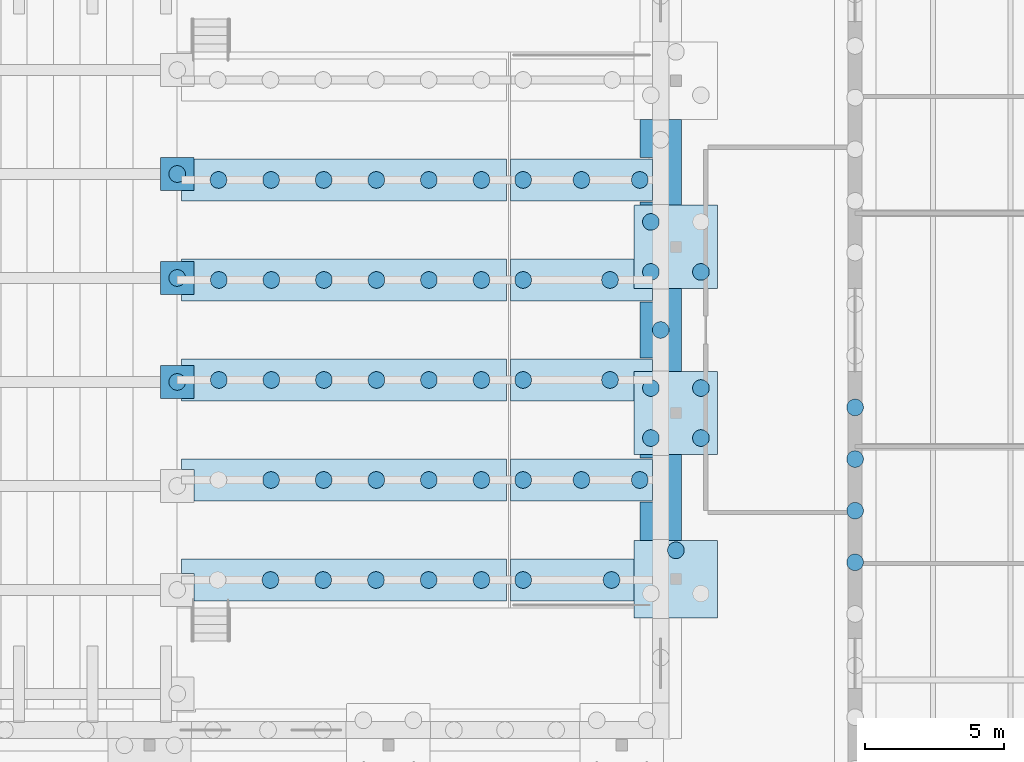
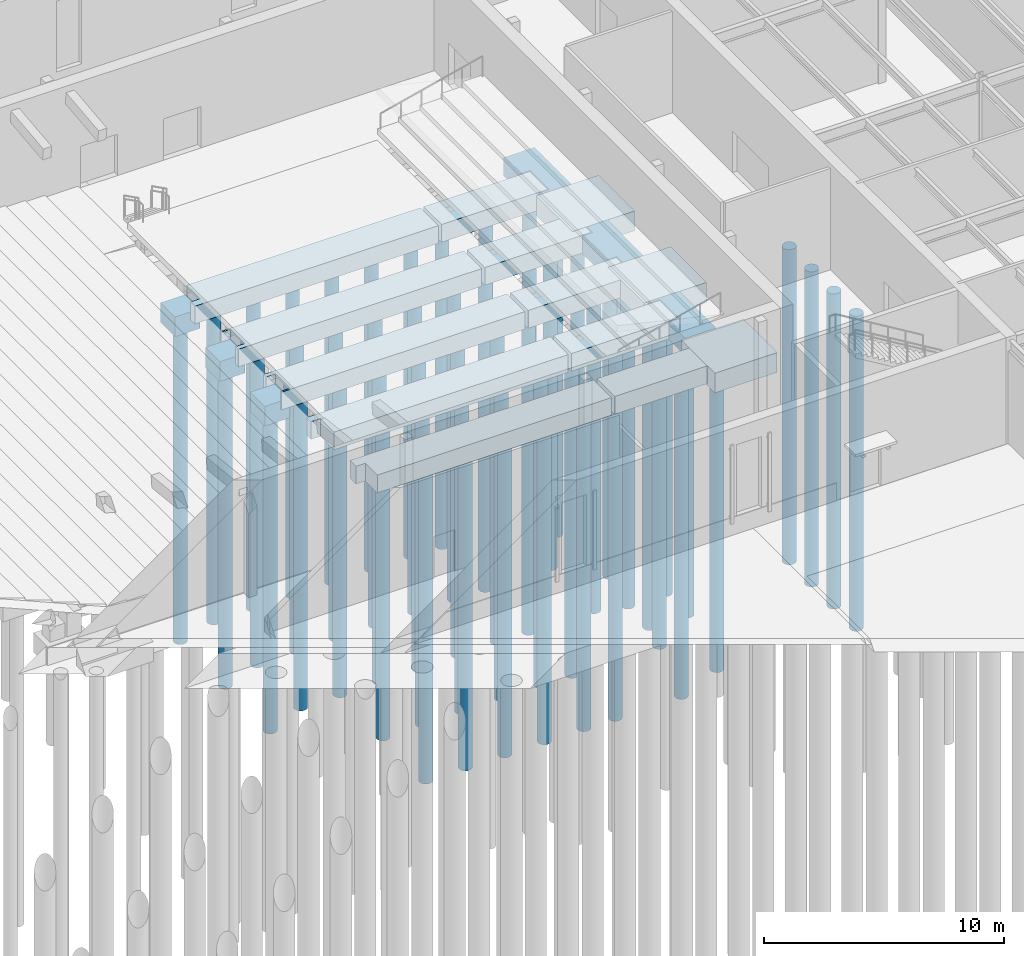
# One storey, part 13 of 127: 56 piles, 19 footings.
"""IFC4 building model written with IfcOpenShell, lengths in metres."""

from ifc_helpers import new_model, si_unit, direction, frame, origin, origin_2d, place, context, subcontext, project, spatial, polyline, circle, outline, extrude, material, layer, layer_set, material_profile, profile_set, type_object, element, save


model = new_model("IFC4")

# Units and contexts
model_context = context("Model", 3, precision=1e-05, world=origin(), true_north=direction((0.0, 1.0)))
body_context = subcontext(model_context, "Body", "Model", "MODEL_VIEW")
ifc_project = project(units=[si_unit("LENGTHUNIT", "METRE"), si_unit("AREAUNIT", "SQUARE_METRE"), si_unit("VOLUMEUNIT", "CUBIC_METRE"), si_unit("PLANEANGLEUNIT", "RADIAN"), si_unit("MASSUNIT", "GRAM", prefix="KILO")], contexts=[model_context])

# Site, building, storey
site_placement = place(None, origin())
site = spatial("IfcSite", under=ifc_project, at=site_placement, CompositionType="ELEMENT")
building_placement = place(site_placement, origin())
building = spatial("IfcBuilding", under=site, at=building_placement, Name="Ljudholm Concert House", CompositionType="ELEMENT")
storey_placement = place(building_placement, origin())
storey = spatial("IfcBuildingStorey", under=building, at=storey_placement, Name="L00", CompositionType="ELEMENT", Elevation=0.0)

# Piles
ifc_material_1 = material(Name="Concrete 5,000 psi", Category="concrete")
ifc_material_profile = material_profile(ifc_material_1, circle(Radius=0.300048828125, at=origin_2d()), Name="AUGER-CAST PILE D600")
ifc_profile_set = profile_set([ifc_material_profile], Name="Concrete 5,000 psi")
pile_type = type_object("IfcPileType", Name="AUGER-CAST PILE D600", PredefinedType="BORED", material=ifc_profile_set)
for number, where, z_axis, x_axis, name in (
    (1, (72.0, 73.528564453125, -1.804931640625), (0.0, 0.0, -1.0), (1.0, 0.0, 0.0), "Pile D600"),
    (2, (72.0, 77.271484375, -1.804931640625), (0.0, 0.0, -1.0), (1.0, 0.0, 0.0), "Pile D600"),
    (3, (72.0, 81.014404296875, -1.804931640625), (0.0, 0.0, -1.0), (1.0, 0.0, 0.0), "Pile D600"),
    (4, (89.949951171875, 67.46923828125, -1.300048828125), (0.0, 0.0, -1.0), (1.0, 0.0, 0.0), "Pile D600"),
    (5, (89.050048828125, 71.510009765625, -1.300048828125), (0.0, 0.0, -1.0), (1.0, 0.0, 0.0), "Pile D600"),
    (6, (90.85009765625, 71.510009765625, -1.300048828125), (0.0, 0.0, -1.0), (1.0, 0.0, 0.0), "Pile D600"),
    (7, (89.050048828125, 73.31005859375, -1.300048828125), (0.0, 0.0, -1.0), (1.0, 0.0, 0.0), "Pile D600"),
    (8, (90.85009765625, 73.31005859375, -1.300048828125), (0.0, 0.0, -1.0), (1.0, 0.0, 0.0), "Pile D600"),
    (9, (89.050048828125, 77.489990234375, -1.300048828125), (0.0, 0.0, -1.0), (1.0, 0.0, 0.0), "Pile D600"),
    (10, (90.85009765625, 77.489990234375, -1.300048828125), (0.0, 0.0, -1.0), (1.0, 0.0, 0.0), "Pile D600"),
    (11, (89.050048828125, 79.2900390625, -1.300048828125), (0.0, 0.0, -1.0), (1.0, 0.0, 0.0), "Pile D600"),
    (12, (84.449951171875, 66.39990234375, -1.199951171875), (0.0, 0.0, -1.0), (1.0, 0.0, 0.0), "Pile D600"),
    (13, (87.632568359375, 66.39990234375, -1.199951171875), (0.0, 0.0, -1.0), (1.0, 0.0, 0.0), "Pile D600"),
    (14, (84.449951171875, 70.0, -1.199951171875), (0.0, 0.0, -1.0), (1.0, 0.0, 0.0), "Pile D600"),
    (15, (86.550048828125, 70.0, -1.199951171875), (0.0, 0.0, -1.0), (1.0, 0.0, 0.0), "Pile D600"),
    (16, (88.64990234375, 70.0, -1.199951171875), (0.0, 0.0, -1.0), (1.0, 0.0, 0.0), "Pile D600"),
    (17, (84.449951171875, 73.60009765625, -1.199951171875), (0.0, 0.0, -1.0), (1.0, 0.0, 0.0), "Pile D600"),
    (18, (87.578369140625, 73.60009765625, -1.199951171875), (0.0, 0.0, -1.0), (1.0, 0.0, 0.0), "Pile D600"),
    (19, (84.449951171875, 77.199951171875, -1.199951171875), (0.0, 0.0, -1.0), (1.0, 0.0, 0.0), "Pile D600"),
    (20, (87.578369140625, 77.199951171875, -1.199951171875), (0.0, 0.0, -1.0), (1.0, 0.0, 0.0), "Pile D600"),
    (21, (84.449951171875, 80.800048828125, -1.199951171875), (0.0, 0.0, -1.0), (1.0, 0.0, 0.0), "Pile D600"),
    (22, (86.550048828125, 80.800048828125, -1.199951171875), (0.0, 0.0, -1.0), (1.0, 0.0, 0.0), "Pile D600"),
    (23, (88.64990234375, 80.800048828125, -1.199951171875), (0.0, 0.0, -1.0), (1.0, 0.0, 0.0), "Pile D600"),
    (24, (75.35546875, 66.39990234375, -1.199951171875), (0.0, 0.0, -1.0), (1.0, 0.0, 0.0), "Pile D600"),
    (25, (77.25390625, 66.39990234375, -1.199951171875), (0.0, 0.0, -1.0), (1.0, 0.0, 0.0), "Pile D600"),
    (26, (79.152587890625, 66.39990234375, -1.199951171875), (0.0, 0.0, -1.0), (1.0, 0.0, 0.0), "Pile D600"),
    (27, (81.05126953125, 66.39990234375, -1.199951171875), (0.0, 0.0, -1.0), (1.0, 0.0, 0.0), "Pile D600"),
    (28, (82.949951171875, 66.39990234375, -1.199951171875), (0.0, 0.0, -1.0), (1.0, 0.0, 0.0), "Pile D600"),
    (29, (75.377685546875, 70.0, -1.199951171875), (0.0, 0.0, -1.0), (1.0, 0.0, 0.0), "Pile D600"),
    (30, (77.270751953125, 70.0, -1.199951171875), (0.0, 0.0, -1.0), (1.0, 0.0, 0.0), "Pile D600"),
    (31, (79.163818359375, 70.0, -1.199951171875), (0.0, 0.0, -1.0), (1.0, 0.0, 0.0), "Pile D600"),
    (32, (81.056884765625, 70.0, -1.199951171875), (0.0, 0.0, -1.0), (1.0, 0.0, 0.0), "Pile D600"),
    (33, (82.949951171875, 70.0, -1.199951171875), (0.0, 0.0, -1.0), (1.0, 0.0, 0.0), "Pile D600"),
    (34, (73.498291015625, 73.60009765625, -1.199951171875), (0.0, 0.0, -1.0), (1.0, 0.0, 0.0), "Pile D600"),
    (35, (75.388671875, 73.60009765625, -1.199951171875), (0.0, 0.0, -1.0), (1.0, 0.0, 0.0), "Pile D600"),
    (36, (77.279052734375, 73.60009765625, -1.199951171875), (0.0, 0.0, -1.0), (1.0, 0.0, 0.0), "Pile D600"),
    (37, (79.169189453125, 73.60009765625, -1.199951171875), (0.0, 0.0, -1.0), (1.0, 0.0, 0.0), "Pile D600"),
    (38, (81.0595703125, 73.60009765625, -1.199951171875), (0.0, 0.0, -1.0), (1.0, 0.0, 0.0), "Pile D600"),
    (39, (82.949951171875, 73.60009765625, -1.199951171875), (0.0, 0.0, -1.0), (1.0, 0.0, 0.0), "Pile D600"),
    (40, (73.498291015625, 77.199951171875, -1.199951171875), (0.0, 0.0, -1.0), (1.0, 0.0, 0.0), "Pile D600"),
    (41, (75.388671875, 77.199951171875, -1.199951171875), (0.0, 0.0, -1.0), (1.0, 0.0, 0.0), "Pile D600"),
    (42, (77.279052734375, 77.199951171875, -1.199951171875), (0.0, 0.0, -1.0), (1.0, 0.0, 0.0), "Pile D600"),
    (43, (79.169189453125, 77.199951171875, -1.199951171875), (0.0, 0.0, -1.0), (1.0, 0.0, 0.0), "Pile D600"),
    (44, (81.0595703125, 77.199951171875, -1.199951171875), (0.0, 0.0, -1.0), (1.0, 0.0, 0.0), "Pile D600"),
    (45, (82.949951171875, 77.199951171875, -1.199951171875), (0.0, 0.0, -1.0), (1.0, 0.0, 0.0), "Pile D600"),
    (46, (73.484375, 80.800048828125, -1.199951171875), (0.0, 0.0, -1.0), (1.0, 0.0, 0.0), "Pile D600"),
    (47, (75.377685546875, 80.800048828125, -1.199951171875), (0.0, 0.0, -1.0), (1.0, 0.0, 0.0), "Pile D600"),
    (48, (77.270751953125, 80.800048828125, -1.199951171875), (0.0, 0.0, -1.0), (1.0, 0.0, 0.0), "Pile D600"),
    (49, (79.163818359375, 80.800048828125, -1.199951171875), (0.0, 0.0, -1.0), (1.0, 0.0, 0.0), "Pile D600"),
    (50, (81.056884765625, 80.800048828125, -1.199951171875), (0.0, 0.0, -1.0), (1.0, 0.0, 0.0), "Pile D600"),
    (51, (82.949951171875, 80.800048828125, -1.199951171875), (0.0, 0.0, -1.0), (1.0, 0.0, 0.0), "Pile D600"),
    (52, (89.39990234375, 75.39990234375, -1.199951171875), (0.0, 0.0, -1.0), (1.0, 0.0, 0.0), "Pile D600"),
    (53, (96.39990234375, 67.0361328125, -1.199951171875), (0.0, 0.0, -1.0), (1.0, 0.0, 0.0), "Pile D600"),
    (54, (96.39990234375, 68.894775390625, -1.199951171875), (0.0, 0.0, -1.0), (1.0, 0.0, 0.0), "Pile D600"),
    (55, (96.39990234375, 70.75341796875, -1.199951171875), (0.0, 0.0, -1.0), (1.0, 0.0, 0.0), "Pile D600"),
    (56, (96.39990234375, 72.612060546875, -1.199951171875), (0.0, 0.0, -1.0), (1.0, 0.0, 0.0), "Pile D600"),
):
    element("IfcPile", number, at=place(storey_placement, frame(where, z_axis=z_axis, x_axis=x_axis)), inside=storey, type_object=pile_type, Name=name, PredefinedType="BORED", context=body_context, shape_type="SweptSolid", body=[
        extrude(circle(Radius=0.300048828125, at=origin_2d()), origin(), (0.0, 0.0, 1.0), 16.0),
    ])

# Footings
ifc_material_2 = material(Name="Concrete 5,000 psi", Category="concrete")
ifc_layer_1 = layer(ifc_material_2, 1.0)
ifc_layer_set_1 = layer_set([ifc_layer_1], Name="Concrete 5,000 psi")
footing_type_1 = type_object("IfcFootingType", Name="RC PILE CAP 1200x1200x1000", PredefinedType="PILE_CAP", material=ifc_layer_set_1)
footing_1_placement = place(storey_placement, frame((0.0, 0.0, -1.804931640625)))
element("IfcFooting", 57, at=footing_1_placement, inside=storey, type_object=footing_type_1, Name="Pile cap", PredefinedType="PILE_CAP", context=body_context, shape_type="SweptSolid", body=[
    extrude(outline(polyline([(71.409912109375, 72.928466796875), (72.590087890625, 72.928466796875), (72.59375, 72.929443359375), (72.59716796875, 72.931396484375), (72.59912109375, 72.934814453125), (72.60009765625, 72.9384765625), (72.60009765625, 74.11865234375), (72.59912109375, 74.122314453125), (72.59716796875, 74.125732421875), (72.59375, 74.1279296875), (72.590087890625, 74.128662109375), (71.409912109375, 74.128662109375), (71.40625, 74.1279296875), (71.40283203125, 74.125732421875), (71.40087890625, 74.122314453125), (71.39990234375, 74.11865234375), (71.39990234375, 72.9384765625), (71.40087890625, 72.934814453125), (71.40283203125, 72.931396484375), (71.40625, 72.929443359375), (71.409912109375, 72.928466796875)])), origin(), (0.0, 0.0, 1.0), 1.0),
])
footing_2_placement = place(storey_placement, frame((0.0, 0.0, -1.804931640625)))
element("IfcFooting", 58, at=footing_2_placement, inside=storey, type_object=footing_type_1, Name="Pile cap", PredefinedType="PILE_CAP", context=body_context, shape_type="SweptSolid", body=[
    extrude(outline(polyline([(71.409912109375, 76.67138671875), (72.590087890625, 76.67138671875), (72.59375, 76.672119140625), (72.59716796875, 76.67431640625), (72.59912109375, 76.677490234375), (72.60009765625, 76.681396484375), (72.60009765625, 77.861328125), (72.59912109375, 77.865234375), (72.59716796875, 77.868408203125), (72.59375, 77.87060546875), (72.590087890625, 77.871337890625), (71.409912109375, 77.871337890625), (71.40625, 77.87060546875), (71.40283203125, 77.868408203125), (71.40087890625, 77.865234375), (71.39990234375, 77.861328125), (71.39990234375, 76.681396484375), (71.40087890625, 76.677490234375), (71.40283203125, 76.67431640625), (71.40625, 76.672119140625), (71.409912109375, 76.67138671875)])), origin(), (0.0, 0.0, 1.0), 1.0),
])
footing_3_placement = place(storey_placement, frame((0.0, 0.0, -1.804931640625)))
element("IfcFooting", 59, at=footing_3_placement, inside=storey, type_object=footing_type_1, Name="Pile cap", PredefinedType="PILE_CAP", context=body_context, shape_type="SweptSolid", body=[
    extrude(outline(polyline([(71.39990234375, 81.604248046875), (71.39990234375, 80.42431640625), (71.40087890625, 80.42041015625), (71.40283203125, 80.417236328125), (71.40625, 80.4150390625), (71.409912109375, 80.414306640625), (72.590087890625, 80.414306640625), (72.59375, 80.4150390625), (72.59716796875, 80.417236328125), (72.59912109375, 80.42041015625), (72.60009765625, 80.42431640625), (72.60009765625, 81.604248046875), (72.59912109375, 81.608154296875), (72.59716796875, 81.611328125), (72.59375, 81.613525390625), (72.590087890625, 81.6142578125), (71.409912109375, 81.6142578125), (71.40625, 81.613525390625), (71.40283203125, 81.611328125), (71.40087890625, 81.608154296875), (71.39990234375, 81.604248046875)])), origin(), (0.0, 0.0, 1.0), 1.0),
])
ifc_material_3 = material(Name="Concrete 5,000 psi", Category="concrete")
ifc_layer_2 = layer(ifc_material_3, 1.0)
ifc_layer_set_2 = layer_set([ifc_layer_2], Name="Concrete 5,000 psi")
footing_type_2 = type_object("IfcFootingType", Name="RC PILE CAP 3000x2800x1000", PredefinedType="PILE_CAP", material=ifc_layer_set_2)
footing_4_placement = place(storey_placement, frame((0.0, 0.0, -1.300048828125)))
element("IfcFooting", 60, at=footing_4_placement, inside=storey, type_object=footing_type_2, Name="Pile cap", PredefinedType="PILE_CAP", context=body_context, shape_type="SweptSolid", body=[
    extrude(outline(polyline([(88.449951171875, 67.820068359375), (88.449951171875, 65.0400390625), (88.45068359375, 65.0361328125), (88.452880859375, 65.032958984375), (88.4560546875, 65.03076171875), (88.4599609375, 65.030029296875), (91.43994140625, 65.030029296875), (91.44384765625, 65.03076171875), (91.447021484375, 65.032958984375), (91.44921875, 65.0361328125), (91.449951171875, 65.0400390625), (91.449951171875, 67.820068359375), (91.44921875, 67.82373046875), (91.447021484375, 67.8271484375), (91.44384765625, 67.829345703125), (91.43994140625, 67.830078125), (88.4599609375, 67.830078125), (88.4560546875, 67.829345703125), (88.452880859375, 67.8271484375), (88.45068359375, 67.82373046875), (88.449951171875, 67.820068359375)])), origin(), (0.0, 0.0, 1.0), 1.0),
])
ifc_material_4 = material(Name="Concrete 5,000 psi", Category="concrete")
ifc_layer_3 = layer(ifc_material_4, 1.0)
ifc_layer_set_3 = layer_set([ifc_layer_3], Name="Concrete 5,000 psi")
footing_type_3 = type_object("IfcFootingType", Name="RC PILE CAP 3000x3000x1000", PredefinedType="PILE_CAP", material=ifc_layer_set_3)
footing_5_placement = place(storey_placement, frame((0.0, 0.0, -1.300048828125)))
element("IfcFooting", 61, at=footing_5_placement, inside=storey, type_object=footing_type_3, Name="Pile cap", PredefinedType="PILE_CAP", context=body_context, shape_type="SweptSolid", body=[
    extrude(outline(polyline([(88.449951171875, 73.89990234375), (88.449951171875, 70.919921875), (88.45068359375, 70.916259765625), (88.452880859375, 70.912841796875), (88.4560546875, 70.91064453125), (88.4599609375, 70.909912109375), (91.43994140625, 70.909912109375), (91.44384765625, 70.91064453125), (91.447021484375, 70.912841796875), (91.44921875, 70.916259765625), (91.449951171875, 70.919921875), (91.449951171875, 73.89990234375), (91.44921875, 73.90380859375), (91.447021484375, 73.906982421875), (91.44384765625, 73.9091796875), (91.43994140625, 73.909912109375), (88.4599609375, 73.909912109375), (88.4560546875, 73.9091796875), (88.452880859375, 73.906982421875), (88.45068359375, 73.90380859375), (88.449951171875, 73.89990234375)])), origin(), (0.0, 0.0, 1.0), 1.0),
])
footing_6_placement = place(storey_placement, frame((0.0, 0.0, -1.300048828125)))
element("IfcFooting", 62, at=footing_6_placement, inside=storey, type_object=footing_type_3, Name="Pile cap", PredefinedType="PILE_CAP", context=body_context, shape_type="SweptSolid", body=[
    extrude(outline(polyline([(88.4599609375, 76.889892578125), (91.43994140625, 76.889892578125), (91.44384765625, 76.890869140625), (91.447021484375, 76.892822265625), (91.44921875, 76.896240234375), (91.449951171875, 76.89990234375), (91.449951171875, 79.8798828125), (91.44921875, 79.8837890625), (91.447021484375, 79.886962890625), (91.44384765625, 79.88916015625), (91.43994140625, 79.889892578125), (88.4599609375, 79.889892578125), (88.4560546875, 79.88916015625), (88.452880859375, 79.886962890625), (88.45068359375, 79.8837890625), (88.449951171875, 79.8798828125), (88.449951171875, 76.89990234375), (88.45068359375, 76.896240234375), (88.452880859375, 76.892822265625), (88.4560546875, 76.890869140625), (88.4599609375, 76.889892578125)])), origin(), (0.0, 0.0, 1.0), 1.0),
])
ifc_material_5 = material(Name="Concrete 5,000 psi", Category="concrete")
ifc_layer_4 = layer(ifc_material_5, 0.89990234375)
ifc_layer_set_4 = layer_set([ifc_layer_4], Name="Concrete 5,000 psi")
footing_type_4 = type_object("IfcFootingType", Name="RC STRIP FOOTING 1500x900", PredefinedType="STRIP_FOOTING", material=ifc_layer_set_4)
footing_7_placement = place(storey_placement, frame((0.0, 0.0, -1.199951171875)))
element("IfcFooting", 63, at=footing_7_placement, inside=storey, type_object=footing_type_4, Name="Strip footing", PredefinedType="STRIP_FOOTING", context=body_context, shape_type="SweptSolid", body=[
    extrude(outline(polyline([(84.010009765625, 65.64990234375), (88.44287109375, 65.650390625), (88.445556640625, 65.651611328125), (88.4482421875, 65.654541015625), (88.449951171875, 65.659912109375), (88.449462890625, 67.142822265625), (88.4482421875, 67.1455078125), (88.445556640625, 67.148193359375), (88.43994140625, 67.14990234375), (84.007080078125, 67.149658203125), (84.00439453125, 67.148193359375), (84.001708984375, 67.1455078125), (84.0, 67.139892578125), (84.0, 65.659912109375), (84.000732421875, 65.65625), (84.0029296875, 65.65283203125), (84.006103515625, 65.65087890625), (84.010009765625, 65.64990234375)])), origin(), (0.0, 0.0, 1.0), 0.89990234375),
])
footing_8_placement = place(storey_placement, frame((0.0, 0.0, -1.199951171875)))
element("IfcFooting", 64, at=footing_8_placement, inside=storey, type_object=footing_type_4, Name="Strip footing", PredefinedType="STRIP_FOOTING", context=body_context, shape_type="SweptSolid", body=[
    extrude(outline(polyline([(84.010009765625, 69.25), (89.093017578125, 69.25048828125), (89.095458984375, 69.251708984375), (89.098388671875, 69.25439453125), (89.10009765625, 69.260009765625), (89.099609375, 70.742919921875), (89.098388671875, 70.74560546875), (89.095458984375, 70.748291015625), (89.090087890625, 70.75), (84.007080078125, 70.74951171875), (84.00439453125, 70.748291015625), (84.001708984375, 70.74560546875), (84.0, 70.739990234375), (84.0, 69.260009765625), (84.000732421875, 69.256103515625), (84.0029296875, 69.2529296875), (84.006103515625, 69.250732421875), (84.010009765625, 69.25)])), origin(), (0.0, 0.0, 1.0), 0.89990234375),
])
footing_9_placement = place(storey_placement, frame((0.0, 0.0, -1.199951171875)))
element("IfcFooting", 65, at=footing_9_placement, inside=storey, type_object=footing_type_4, Name="Strip footing", PredefinedType="STRIP_FOOTING", context=body_context, shape_type="SweptSolid", body=[
    extrude(outline(polyline([(84.010009765625, 72.85009765625), (88.44287109375, 72.850341796875), (88.445556640625, 72.851806640625), (88.4482421875, 72.8544921875), (88.449951171875, 72.860107421875), (88.449951171875, 73.899658203125), (88.45068359375, 73.90380859375), (88.454345703125, 73.908203125), (88.460205078125, 73.909912109375), (89.090087890625, 73.909912109375), (89.095458984375, 73.91162109375), (89.098876953125, 73.915283203125), (89.10009765625, 73.919921875), (89.099609375, 74.343017578125), (89.098388671875, 74.345458984375), (89.095458984375, 74.348388671875), (89.090087890625, 74.35009765625), (84.007080078125, 74.349609375), (84.00439453125, 74.348388671875), (84.001708984375, 74.345458984375), (84.0, 74.340087890625), (84.0, 72.860107421875), (84.000732421875, 72.856201171875), (84.0029296875, 72.85302734375), (84.006103515625, 72.850830078125), (84.010009765625, 72.85009765625)])), origin(), (0.0, 0.0, 1.0), 0.89990234375),
])
footing_10_placement = place(storey_placement, frame((0.0, 0.0, -1.199951171875)))
element("IfcFooting", 66, at=footing_10_placement, inside=storey, type_object=footing_type_4, Name="Strip footing", PredefinedType="STRIP_FOOTING", context=body_context, shape_type="SweptSolid", body=[
    extrude(outline(polyline([(84.010009765625, 76.449951171875), (89.091064453125, 76.449951171875), (89.0947265625, 76.451171875), (89.09716796875, 76.452880859375), (89.09912109375, 76.4560546875), (89.10009765625, 76.4599609375), (89.099853515625, 76.880859375), (89.098876953125, 76.884765625), (89.09716796875, 76.886962890625), (89.09375, 76.88916015625), (89.090087890625, 76.889892578125), (88.460205078125, 76.889892578125), (88.455322265625, 76.89111328125), (88.45166015625, 76.89453125), (88.449951171875, 76.900146484375), (88.449951171875, 77.93994140625), (88.44921875, 77.94384765625), (88.44775390625, 77.9462890625), (88.44482421875, 77.94873046875), (88.44189453125, 77.94970703125), (84.009033203125, 77.949951171875), (84.00537109375, 77.94873046875), (84.0029296875, 77.947021484375), (84.000732421875, 77.94384765625), (84.0, 77.93994140625), (84.0, 76.4599609375), (84.000732421875, 76.4560546875), (84.0029296875, 76.452880859375), (84.006103515625, 76.45068359375), (84.010009765625, 76.449951171875)])), origin(), (0.0, 0.0, 1.0), 0.89990234375),
])
footing_11_placement = place(storey_placement, frame((0.0, 0.0, -1.199951171875)))
element("IfcFooting", 67, at=footing_11_placement, inside=storey, type_object=footing_type_4, Name="Strip footing", PredefinedType="STRIP_FOOTING", context=body_context, shape_type="SweptSolid", body=[
    extrude(outline(polyline([(84.010009765625, 80.050048828125), (89.093017578125, 80.050537109375), (89.095458984375, 80.0517578125), (89.098388671875, 80.054443359375), (89.10009765625, 80.06005859375), (89.099609375, 81.54296875), (89.098388671875, 81.545654296875), (89.095458984375, 81.54833984375), (89.090087890625, 81.550048828125), (84.007080078125, 81.549560546875), (84.00439453125, 81.54833984375), (84.001708984375, 81.545654296875), (84.0, 81.5400390625), (84.0, 80.06005859375), (84.000732421875, 80.05615234375), (84.0029296875, 80.052978515625), (84.006103515625, 80.05078125), (84.010009765625, 80.050048828125)])), origin(), (0.0, 0.0, 1.0), 0.89990234375),
])
footing_12_placement = place(storey_placement, frame((0.0, 0.0, -1.199951171875)))
element("IfcFooting", 68, at=footing_12_placement, inside=storey, type_object=footing_type_4, Name="Strip footing", PredefinedType="STRIP_FOOTING", context=body_context, shape_type="SweptSolid", body=[
    extrude(outline(polyline([(72.159912109375, 66.642822265625), (72.58984375, 66.642822265625), (72.595458984375, 66.64111328125), (72.59912109375, 66.63671875), (72.60009765625, 66.632568359375), (72.60009765625, 65.659912109375), (72.600830078125, 65.65625), (72.60302734375, 65.65283203125), (72.605224609375, 65.651123046875), (72.609130859375, 65.650146484375), (83.840087890625, 65.64990234375), (83.84375, 65.65087890625), (83.84716796875, 65.65283203125), (83.848876953125, 65.6552734375), (83.849853515625, 65.658935546875), (83.85009765625, 67.139892578125), (83.84912109375, 67.143798828125), (83.84716796875, 67.14697265625), (83.8447265625, 67.14892578125), (83.841064453125, 67.14990234375), (72.159912109375, 67.14990234375), (72.15625, 67.149169921875), (72.15283203125, 67.14697265625), (72.15087890625, 67.143798828125), (72.14990234375, 67.139892578125), (72.14990234375, 66.65283203125), (72.15087890625, 66.64892578125), (72.15283203125, 66.645751953125), (72.15625, 66.6435546875), (72.159912109375, 66.642822265625)])), origin(), (0.0, 0.0, 1.0), 0.89990234375),
])
footing_13_placement = place(storey_placement, frame((0.0, 0.0, -1.199951171875)))
element("IfcFooting", 69, at=footing_13_placement, inside=storey, type_object=footing_type_4, Name="Strip footing", PredefinedType="STRIP_FOOTING", context=body_context, shape_type="SweptSolid", body=[
    extrude(outline(polyline([(72.14990234375, 70.739990234375), (72.14990234375, 70.395751953125), (72.151123046875, 70.39111328125), (72.153564453125, 70.387939453125), (72.15625, 70.386474609375), (72.159912109375, 70.3857421875), (72.58984375, 70.3857421875), (72.595458984375, 70.384033203125), (72.598388671875, 70.38134765625), (72.599609375, 70.378662109375), (72.60009765625, 69.260009765625), (72.600830078125, 69.256103515625), (72.60302734375, 69.2529296875), (72.605224609375, 69.251220703125), (72.609130859375, 69.25), (83.840087890625, 69.25), (83.84375, 69.250732421875), (83.84716796875, 69.2529296875), (83.848876953125, 69.25537109375), (83.849853515625, 69.259033203125), (83.85009765625, 70.739990234375), (83.84912109375, 70.743896484375), (83.84716796875, 70.7470703125), (83.8447265625, 70.748779296875), (83.841064453125, 70.75), (72.159912109375, 70.75), (72.15625, 70.749267578125), (72.15283203125, 70.7470703125), (72.15087890625, 70.743896484375), (72.14990234375, 70.739990234375)])), origin(), (0.0, 0.0, 1.0), 0.89990234375),
])
footing_14_placement = place(storey_placement, frame((0.0, 0.0, -1.199951171875)))
element("IfcFooting", 70, at=footing_14_placement, inside=storey, type_object=footing_type_4, Name="Strip footing", PredefinedType="STRIP_FOOTING", context=body_context, shape_type="SweptSolid", body=[
    extrude(outline(polyline([(72.159912109375, 72.85009765625), (83.841064453125, 72.85009765625), (83.8447265625, 72.85107421875), (83.84716796875, 72.85302734375), (83.84912109375, 72.856201171875), (83.85009765625, 72.860107421875), (83.849853515625, 74.341064453125), (83.848876953125, 74.3447265625), (83.84716796875, 74.34716796875), (83.84375, 74.34912109375), (83.840087890625, 74.35009765625), (72.158935546875, 74.349853515625), (72.1552734375, 74.348876953125), (72.15283203125, 74.34716796875), (72.15087890625, 74.34375), (72.14990234375, 74.340087890625), (72.14990234375, 74.138671875), (72.151123046875, 74.1337890625), (72.1552734375, 74.129638671875), (72.159912109375, 74.128662109375), (72.58984375, 74.128662109375), (72.59375, 74.127685546875), (72.59716796875, 74.125732421875), (72.59912109375, 74.122314453125), (72.60009765625, 74.118408203125), (72.599609375, 72.935791015625), (72.598388671875, 72.93310546875), (72.595458984375, 72.93017578125), (72.58984375, 72.928466796875), (72.157958984375, 72.928466796875), (72.15283203125, 72.925537109375), (72.151123046875, 72.92333984375), (72.150146484375, 72.91943359375), (72.14990234375, 72.860107421875), (72.15087890625, 72.856201171875), (72.15283203125, 72.85302734375), (72.15625, 72.850830078125), (72.159912109375, 72.85009765625)])), origin(), (0.0, 0.0, 1.0), 0.89990234375),
])
footing_15_placement = place(storey_placement, frame((0.0, 0.0, -1.199951171875)))
element("IfcFooting", 71, at=footing_15_placement, inside=storey, type_object=footing_type_4, Name="Strip footing", PredefinedType="STRIP_FOOTING", context=body_context, shape_type="SweptSolid", body=[
    extrude(outline(polyline([(72.159912109375, 76.449951171875), (83.841064453125, 76.449951171875), (83.8447265625, 76.451171875), (83.84716796875, 76.452880859375), (83.84912109375, 76.4560546875), (83.85009765625, 76.4599609375), (83.849853515625, 77.94091796875), (83.848876953125, 77.94482421875), (83.84716796875, 77.947021484375), (83.84375, 77.94921875), (83.840087890625, 77.949951171875), (72.158935546875, 77.949951171875), (72.1552734375, 77.94873046875), (72.15283203125, 77.947021484375), (72.15087890625, 77.94384765625), (72.14990234375, 77.93994140625), (72.150146484375, 77.88037109375), (72.151123046875, 77.876708984375), (72.15283203125, 77.874267578125), (72.157958984375, 77.87158203125), (72.58984375, 77.871337890625), (72.59375, 77.87060546875), (72.59716796875, 77.868408203125), (72.59912109375, 77.865234375), (72.60009765625, 77.861083984375), (72.599609375, 76.678466796875), (72.598388671875, 76.67578125), (72.595458984375, 76.673095703125), (72.58984375, 76.67138671875), (72.159912109375, 76.67138671875), (72.1552734375, 76.670166015625), (72.151123046875, 76.666259765625), (72.14990234375, 76.661376953125), (72.14990234375, 76.4599609375), (72.15087890625, 76.4560546875), (72.15283203125, 76.452880859375), (72.15625, 76.45068359375), (72.159912109375, 76.449951171875)])), origin(), (0.0, 0.0, 1.0), 0.89990234375),
])
footing_16_placement = place(storey_placement, frame((0.0, 0.0, -1.199951171875)))
element("IfcFooting", 72, at=footing_16_placement, inside=storey, type_object=footing_type_4, Name="Strip footing", PredefinedType="STRIP_FOOTING", context=body_context, shape_type="SweptSolid", body=[
    extrude(outline(polyline([(72.159912109375, 80.050048828125), (83.841064453125, 80.050048828125), (83.8447265625, 80.05126953125), (83.84716796875, 80.052978515625), (83.84912109375, 80.05615234375), (83.85009765625, 80.06005859375), (83.849853515625, 81.541015625), (83.848876953125, 81.544677734375), (83.84716796875, 81.547119140625), (83.84375, 81.54931640625), (83.840087890625, 81.550048828125), (72.609130859375, 81.550048828125), (72.605224609375, 81.548828125), (72.60302734375, 81.547119140625), (72.600830078125, 81.5439453125), (72.60009765625, 81.5400390625), (72.599609375, 80.42138671875), (72.598388671875, 80.418701171875), (72.595458984375, 80.416015625), (72.58984375, 80.414306640625), (72.159912109375, 80.414306640625), (72.15625, 80.41357421875), (72.153564453125, 80.412109375), (72.151123046875, 80.408935546875), (72.14990234375, 80.404296875), (72.14990234375, 80.06005859375), (72.15087890625, 80.05615234375), (72.15283203125, 80.052978515625), (72.15625, 80.05078125), (72.159912109375, 80.050048828125)])), origin(), (0.0, 0.0, 1.0), 0.89990234375),
])
footing_17_placement = place(storey_placement, frame((0.0, 0.0, -1.199951171875)))
element("IfcFooting", 73, at=footing_17_placement, inside=storey, type_object=footing_type_4, Name="Strip footing", PredefinedType="STRIP_FOOTING", context=body_context, shape_type="SweptSolid", body=[
    extrude(outline(polyline([(88.659912109375, 74.39990234375), (89.1396484375, 74.39990234375), (89.143798828125, 74.399169921875), (89.14697265625, 74.39697265625), (89.149169921875, 74.393798828125), (89.14990234375, 74.3896484375), (89.14990234375, 73.919921875), (89.151611328125, 73.91455078125), (89.154541015625, 73.91162109375), (89.156982421875, 73.910400390625), (90.139892578125, 73.909912109375), (90.144775390625, 73.9111328125), (90.14892578125, 73.915283203125), (90.14990234375, 73.919921875), (90.14990234375, 76.8798828125), (90.14892578125, 76.884765625), (90.144775390625, 76.888916015625), (90.139892578125, 76.889892578125), (89.156982421875, 76.8896484375), (89.154541015625, 76.888427734375), (89.151611328125, 76.885498046875), (89.14990234375, 76.8798828125), (89.14990234375, 76.41015625), (89.149169921875, 76.40625), (89.14697265625, 76.40283203125), (89.143798828125, 76.40087890625), (89.1396484375, 76.39990234375), (88.659912109375, 76.39990234375), (88.6552734375, 76.39892578125), (88.651123046875, 76.394775390625), (88.64990234375, 76.389892578125), (88.64990234375, 74.409912109375), (88.65087890625, 74.40625), (88.65283203125, 74.40283203125), (88.65625, 74.40087890625), (88.659912109375, 74.39990234375)])), origin(), (0.0, 0.0, 1.0), 0.89990234375),
])
footing_18_placement = place(storey_placement, frame((0.0, 0.0, -1.199951171875)))
element("IfcFooting", 74, at=footing_18_placement, inside=storey, type_object=footing_type_4, Name="Strip footing", PredefinedType="STRIP_FOOTING", context=body_context, shape_type="SweptSolid", body=[
    extrude(outline(polyline([(88.64990234375, 69.18994140625), (88.64990234375, 67.840087890625), (88.651123046875, 67.835205078125), (88.653564453125, 67.832275390625), (88.65625, 67.830810546875), (88.659912109375, 67.830078125), (90.139892578125, 67.830078125), (90.144775390625, 67.831298828125), (90.147705078125, 67.833740234375), (90.149169921875, 67.836181640625), (90.14990234375, 67.840087890625), (90.14990234375, 70.89990234375), (90.14892578125, 70.90478515625), (90.146240234375, 70.90771484375), (90.143798828125, 70.9091796875), (90.139892578125, 70.909912109375), (88.659912109375, 70.909912109375), (88.6552734375, 70.908935546875), (88.65234375, 70.90625), (88.65087890625, 70.90380859375), (88.64990234375, 70.89990234375), (88.650146484375, 70.80908203125), (88.651123046875, 70.80517578125), (88.65283203125, 70.802978515625), (88.657958984375, 70.80029296875), (89.1396484375, 70.800048828125), (89.1455078125, 70.79833984375), (89.148193359375, 70.795654296875), (89.149658203125, 70.79296875), (89.14990234375, 69.210205078125), (89.149169921875, 69.206298828125), (89.14697265625, 69.202880859375), (89.143798828125, 69.20068359375), (89.1396484375, 69.199951171875), (88.659912109375, 69.199951171875), (88.65625, 69.19921875), (88.65283203125, 69.197021484375), (88.65087890625, 69.19384765625), (88.64990234375, 69.18994140625)])), origin(), (0.0, 0.0, 1.0), 0.89990234375),
])
footing_19_placement = place(storey_placement, frame((0.0, 0.0, -1.199951171875)))
element("IfcFooting", 75, at=footing_19_placement, inside=storey, type_object=footing_type_4, Name="Strip footing", PredefinedType="STRIP_FOOTING", context=body_context, shape_type="SweptSolid", body=[
    extrude(outline(polyline([(88.64990234375, 79.989990234375), (88.650146484375, 79.89892578125), (88.651123046875, 79.895263671875), (88.65283203125, 79.892822265625), (88.6552734375, 79.89111328125), (88.658935546875, 79.89013671875), (90.139892578125, 79.889892578125), (90.144775390625, 79.89111328125), (90.14892578125, 79.895263671875), (90.14990234375, 79.89990234375), (90.14990234375, 82.9599609375), (90.14892578125, 82.964599609375), (90.144775390625, 82.96875), (90.139892578125, 82.969970703125), (88.659912109375, 82.969970703125), (88.6552734375, 82.96875), (88.651123046875, 82.964599609375), (88.64990234375, 82.9599609375), (88.64990234375, 81.610107421875), (88.65087890625, 81.606201171875), (88.654541015625, 81.601806640625), (88.659912109375, 81.60009765625), (89.1396484375, 81.60009765625), (89.142822265625, 81.599609375), (89.146240234375, 81.59765625), (89.148193359375, 81.595458984375), (89.14990234375, 81.592041015625), (89.14990234375, 80.01025390625), (89.149169921875, 80.006103515625), (89.14697265625, 80.0029296875), (89.143798828125, 80.000732421875), (89.1396484375, 80.0), (88.659912109375, 80.0), (88.65625, 79.999267578125), (88.65283203125, 79.9970703125), (88.65087890625, 79.993896484375), (88.64990234375, 79.989990234375)])), origin(), (0.0, 0.0, 1.0), 0.89990234375),
])

save(model, "model.ifc")
